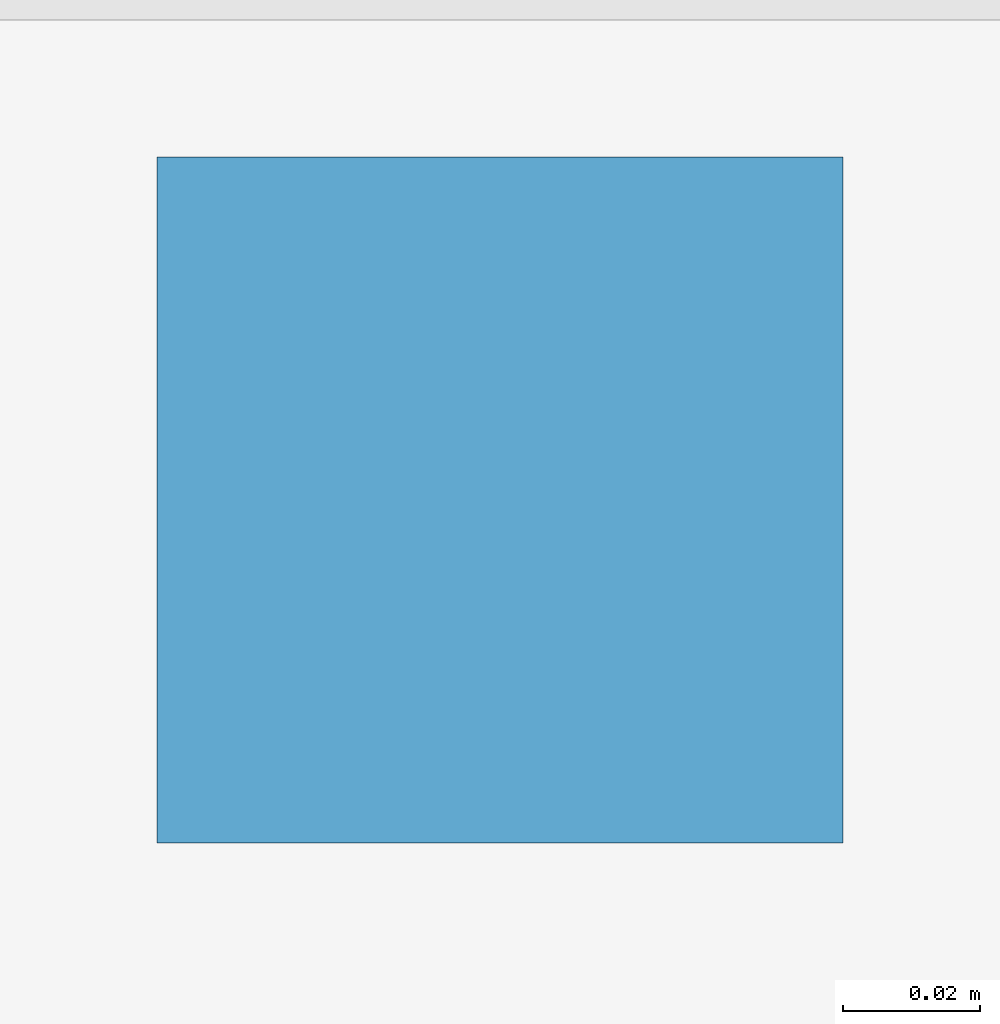
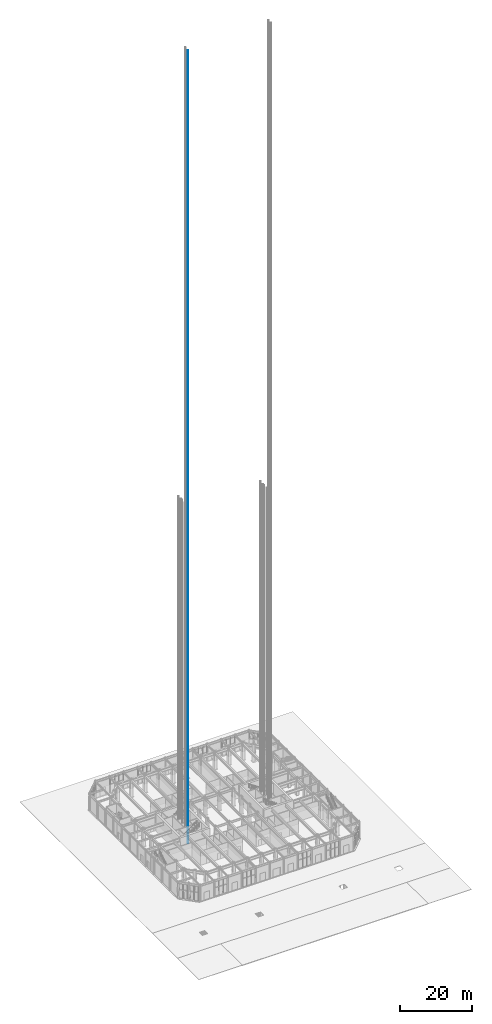
# One storey, part 24 of 39: 1 discrete accessory.
"""IFC4 building model written with IfcOpenShell, lengths in metres."""

from ifc_helpers import new_model, si_unit, direction, frame, origin, place, context, subcontext, project, spatial, polyline, outline, extrude, element, save


model = new_model("IFC4")

# Units and contexts
model_context = context("Model", 3, precision=1e-05, world=origin(), true_north=direction((0.0, 1.0)))
body_context = subcontext(model_context, "Body", "Model", "MODEL_VIEW")
ifc_project = project(units=[si_unit("LENGTHUNIT", "METRE"), si_unit("AREAUNIT", "SQUARE_METRE"), si_unit("VOLUMEUNIT", "CUBIC_METRE"), si_unit("PLANEANGLEUNIT", "RADIAN"), si_unit("MASSUNIT", "GRAM", prefix="KILO")], contexts=[model_context])

# Site, building, storey
site_placement = place(None, origin())
site = spatial("IfcSite", under=ifc_project, at=site_placement, CompositionType="ELEMENT")
building_placement = place(site_placement, origin())
building = spatial("IfcBuilding", under=site, at=building_placement, Name="Msasa Ring Tower", CompositionType="ELEMENT")
storey_placement = place(building_placement, origin())
storey = spatial("IfcBuildingStorey", under=building, at=storey_placement, Name="L00", CompositionType="ELEMENT", Elevation=0.0)

# Discrete accessory
discrete_accessory_placement = place(storey_placement, frame((0.0, 0.0, 0.050048828125)))
element("IfcDiscreteAccessory", 1, at=discrete_accessory_placement, inside=storey, Name="Lift guide rail 1 FL-W", ObjectType="LIFT GUIDE RAIL", PredefinedType="USERDEFINED", context=body_context, shape_type="SweptSolid", body=[
    extrude(outline(polyline([(-13.425048828125, -2.9951171875), (-13.324951171875, -2.9951171875), (-13.324951171875, -2.89501953125), (-13.425048828125, -2.89501953125), (-13.425048828125, -2.9951171875)])), origin(), (0.0, 0.0, 1.0), 270.449951171875),
])

save(model, "model.ifc")
